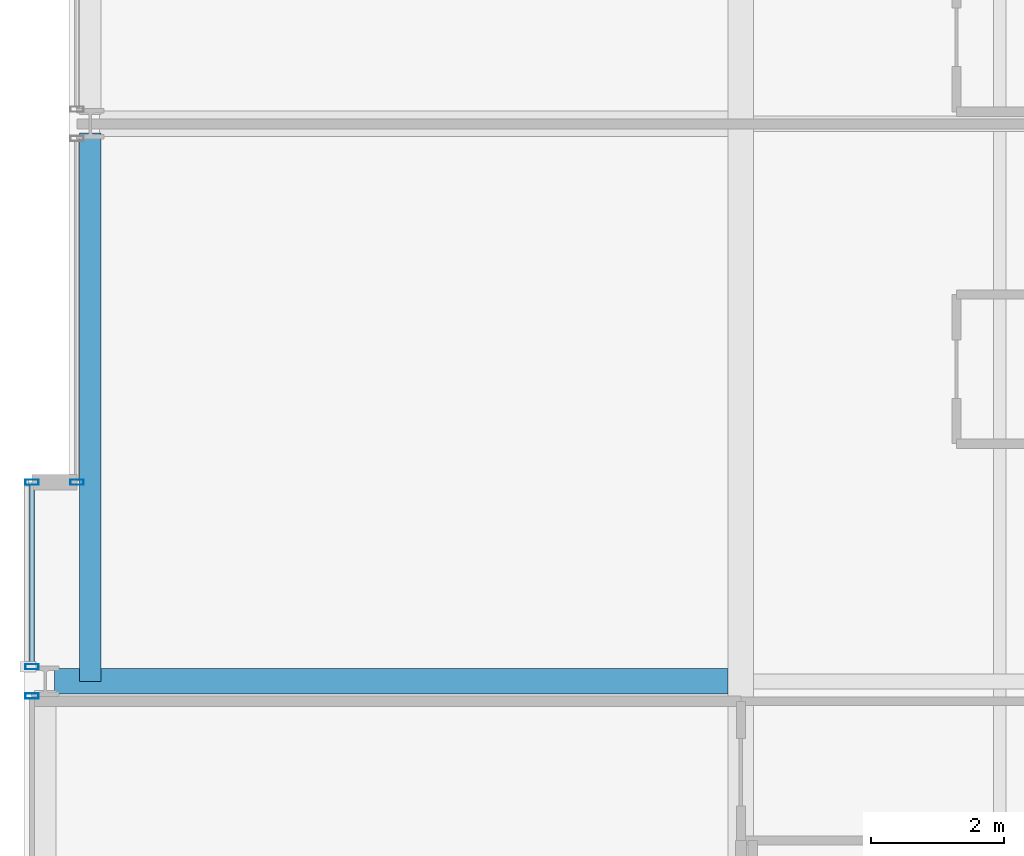
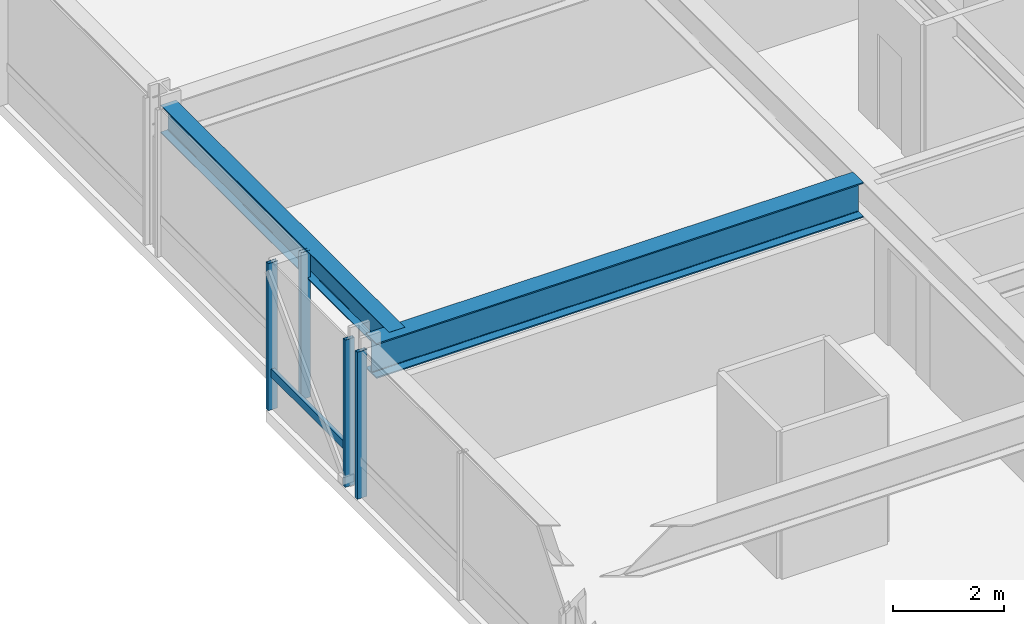
# One storey, part 7 of 35: 5 members, 2 beams, 3 elements without a shape of their own.
"""IFC4 building model written with IfcOpenShell, lengths in metres."""

from ifc_helpers import new_model, si_unit, direction, frame, origin, origin_2d, place, context, subcontext, project, spatial, hollow_rectangle, i_section, extrude, material, layer, layer_set, material_profile, profile_set, type_object, element, aggregate, save


model = new_model("IFC4")

# Units and contexts
model_context = context("Model", 3, precision=1e-05, world=origin(), true_north=direction((0.0, 1.0)))
body_context = subcontext(model_context, "Body", "Model", "MODEL_VIEW")
ifc_project = project(units=[si_unit("LENGTHUNIT", "METRE"), si_unit("AREAUNIT", "SQUARE_METRE"), si_unit("VOLUMEUNIT", "CUBIC_METRE"), si_unit("PLANEANGLEUNIT", "RADIAN"), si_unit("MASSUNIT", "GRAM", prefix="KILO")], contexts=[model_context])

# Site, building, storey
site_placement = place(None, origin())
site = spatial("IfcSite", under=ifc_project, at=site_placement, CompositionType="ELEMENT")
building_placement = place(site_placement, origin())
building = spatial("IfcBuilding", under=site, at=building_placement, Name="Drelvath Grand Hotel", CompositionType="ELEMENT")
storey_placement = place(building_placement, frame((0.0, 0.0, 98.800048828125)))
storey = spatial("IfcBuildingStorey", under=building, at=storey_placement, Name="L24", CompositionType="ELEMENT", Elevation=98.800048828125)

# Curtain wall, member
ifc_material_1 = material(Name="Champagne Bronze Anodised Aluminium Frame", Category="aluminium")
ifc_layer = layer(ifc_material_1, 0.199951171875)
ifc_layer_set = layer_set([ifc_layer], Name="Champagne Bronze Anodised Aluminium Frame")
curtain_wall_type = type_object("IfcCurtainWallType", Name="Stick Curtain Wall CW-03 Champagne Bronze Mid-Rise", PredefinedType="NOTDEFINED", material=ifc_layer_set)
curtain_wall_1_placement = place(storey_placement, origin())
curtain_wall_1 = element("IfcCurtainWall", 1, at=curtain_wall_1_placement, inside=storey, type_object=curtain_wall_type, Name="L24 CW-03 Curtain Wall CW03-L24-WS3", PredefinedType="NOTDEFINED")
ifc_material_profile_1 = material_profile(ifc_material_1, hollow_rectangle(XDim=0.074951171875, YDim=0.179931640625, WallThickness=0.0048828125, at=origin_2d()), Name="HSS180X75X5")
ifc_profile_set_1 = profile_set([ifc_material_profile_1], Name="Champagne Bronze Anodised Aluminium Frame")
member_type_1 = type_object("IfcMemberType", Name="Curtain Wall Horizontal Transom CW-03 HSS180X75X5", PredefinedType="USERDEFINED", material=ifc_profile_set_1)
member_1_placement = place(storey_placement, frame((-26.8798828125, 18.859619140625, 0.81005859375), z_axis=(0.0, 1.0, 0.0), x_axis=(-1.0, 0.0, 0.0)))
member_1 = element("IfcMember", 2, at=member_1_placement, type_object=member_type_1, Name="CW03-L24-WS3 Sill Transom", ObjectType="TRANSOM", PredefinedType="USERDEFINED", context=body_context, shape_type="SweptSolid", body=[
    extrude(hollow_rectangle(XDim=0.074951171875, YDim=0.179931640625, WallThickness=0.0048828125, at=origin_2d()), origin(), (0.0, 0.0, 1.0), 2.700439453125),
])

curtain_wall_2_placement = place(storey_placement, origin())
curtain_wall_2 = element("IfcCurtainWall", 3, at=curtain_wall_2_placement, inside=storey, type_object=curtain_wall_type, Name="L24 CW-03 Curtain Wall CW03-L24-WS2", PredefinedType="NOTDEFINED")
ifc_material_profile_2 = material_profile(ifc_material_1, hollow_rectangle(XDim=0.080078125, YDim=0.199951171875, WallThickness=0.0048828125, at=origin_2d()), Name="HSS200X80X5")
ifc_profile_set_2 = profile_set([ifc_material_profile_2], Name="Champagne Bronze Anodised Aluminium Frame")
member_type_2 = type_object("IfcMemberType", Name="Curtain Wall Vertical Mullion CW-03 HSS200X80X5", PredefinedType="MULLION", material=ifc_profile_set_2)
member_2_placement = place(storey_placement, frame((-26.8798828125, 18.38037109375, 0.0), z_axis=(0.0, 0.0, 1.0), x_axis=(0.0, 1.0, 0.0)))
member_2 = element("IfcMember", 4, at=member_2_placement, type_object=member_type_2, Name="CW03-L24-WS2 Mullion 3", PredefinedType="MULLION", context=body_context, shape_type="SweptSolid", body=[
    extrude(hollow_rectangle(XDim=0.080078125, YDim=0.199951171875, WallThickness=0.0048828125, at=origin_2d()), origin(), (0.0, 0.0, 1.0), 3.239990234375),
])
aggregate(curtain_wall_2, [member_2])

# Member
member_3_placement = place(storey_placement, frame((-26.8798828125, 18.819580078125, 0.0), z_axis=(0.0, 0.0, 1.0), x_axis=(0.0, 1.0, 0.0)))
member_3 = element("IfcMember", 5, at=member_3_placement, type_object=member_type_2, Name="CW03-L24-WS3 Mullion 1", PredefinedType="MULLION", context=body_context, shape_type="SweptSolid", body=[
    extrude(hollow_rectangle(XDim=0.080078125, YDim=0.199951171875, WallThickness=0.0048828125, at=origin_2d()), origin(), (0.0, 0.0, 1.0), 3.239990234375),
])

member_4_placement = place(storey_placement, frame((-26.8798828125, 21.60009765625, 0.0), z_axis=(0.0, 0.0, 1.0), x_axis=(0.0, 1.0, 0.0)))
member_4 = element("IfcMember", 6, at=member_4_placement, type_object=member_type_2, Name="CW03-L24-WS3 Mullion 2", PredefinedType="MULLION", context=body_context, shape_type="SweptSolid", body=[
    extrude(hollow_rectangle(XDim=0.080078125, YDim=0.199951171875, WallThickness=0.0048828125, at=origin_2d()), origin(), (0.0, 0.0, 1.0), 3.239990234375),
])

aggregate(curtain_wall_1, [member_3, member_4, member_1])

# Curtain wall, member
curtain_wall_3_placement = place(storey_placement, origin())
curtain_wall_3 = element("IfcCurtainWall", 7, at=curtain_wall_3_placement, inside=storey, type_object=curtain_wall_type, Name="L24 CW-03 Curtain Wall CW03-L24-WM1", PredefinedType="NOTDEFINED")
member_5_placement = place(storey_placement, frame((-26.199951171875, 21.60009765625, 0.0), z_axis=(0.0, 0.0, 1.0), x_axis=(0.0, 1.0, 0.0)))
member_5 = element("IfcMember", 8, at=member_5_placement, type_object=member_type_2, Name="CW03-L24-WM1 Mullion 1", PredefinedType="MULLION", context=body_context, shape_type="SweptSolid", body=[
    extrude(hollow_rectangle(XDim=0.080078125, YDim=0.199951171875, WallThickness=0.0048828125, at=origin_2d()), origin(), (0.0, 0.0, 1.0), 3.239990234375),
])
aggregate(curtain_wall_3, [member_5])

# Beams
ifc_material_2 = material(Name="Steel ASTM A992 Gr 50", Category="steel")
ifc_material_profile_3 = material_profile(ifc_material_2, i_section(OverallWidth=0.323974609375, OverallDepth=0.611083984375, WebThickness=0.0126953125, FlangeThickness=0.01904296875, FilletRadius=0.02197265625, at=origin_2d()), Name="W24X104")
ifc_profile_set_3 = profile_set([ifc_material_profile_3], Name="Steel ASTM A992 Gr 50")
beam_type_1 = type_object("IfcBeamType", Name="Perimeter Spandrel Beam W24X104", PredefinedType="SPANDREL", material=ifc_profile_set_3)
beam_1_placement = place(storey_placement, frame((-26.0, 18.60009765625, 2.9345703125), z_axis=(0.0, 1.0, 0.0), x_axis=(-1.0, 0.0, 0.0)))
element("IfcBeam", 9, at=beam_1_placement, inside=storey, type_object=beam_type_1, Name="L24 Spandrel West Mid S", PredefinedType="SPANDREL", context=body_context, shape_type="SweptSolid", body=[
    extrude(i_section(OverallWidth=0.323974609375, OverallDepth=0.611083984375, WebThickness=0.0126953125, FlangeThickness=0.01904296875, FilletRadius=0.02197265625, at=origin_2d()), origin(), (0.0, 0.0, 1.0), 8.260009765625),
])
ifc_material_profile_4 = material_profile(ifc_material_2, i_section(OverallWidth=0.380615234375, OverallDepth=0.773193359375, WebThickness=0.0166015625, FlangeThickness=0.027099609375, FilletRadius=0.02490234375, at=origin_2d()), Name="W30X173")
ifc_profile_set_4 = profile_set([ifc_material_profile_4], Name="Steel ASTM A992 Gr 50")
beam_type_2 = type_object("IfcBeamType", Name="Primary Floor Girder W30X173", PredefinedType="BEAM", material=ifc_profile_set_4)
beam_2_placement = place(storey_placement, frame((-26.5400390625, 18.60009765625, 2.853271484375), z_axis=(1.0, 0.0, 0.0), x_axis=(0.0, 1.0, 0.0)))
element("IfcBeam", 10, at=beam_2_placement, inside=storey, type_object=beam_type_2, Name="L24 West Wing Girder D", PredefinedType="BEAM", context=body_context, shape_type="SweptSolid", body=[
    extrude(i_section(OverallWidth=0.380615234375, OverallDepth=0.773193359375, WebThickness=0.0166015625, FlangeThickness=0.027099609375, FilletRadius=0.02490234375, at=origin_2d()), origin(), (0.0, 0.0, 1.0), 10.149658203125),
])

save(model, "model.ifc")
